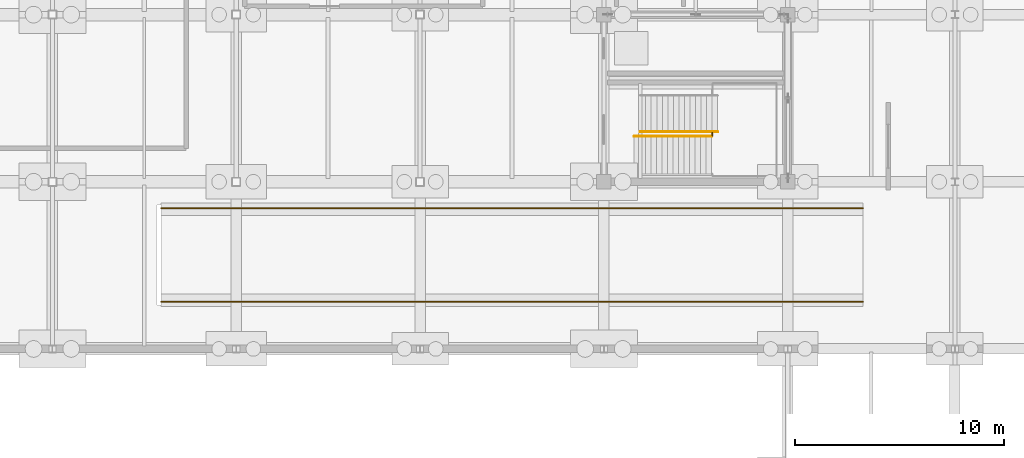
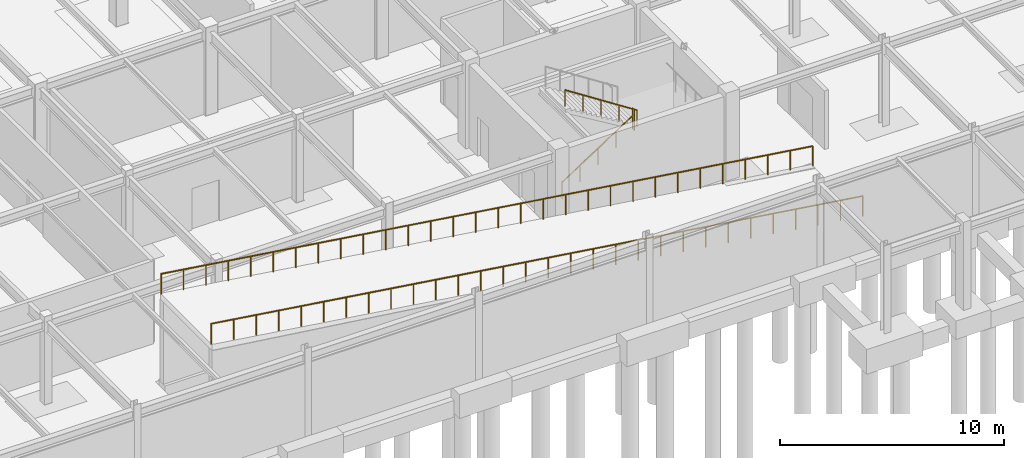
# One storey, part 66 of 72: 5 railings.
"""IFC4 building model written with IfcOpenShell, lengths in metres."""

from ifc_helpers import new_model, si_unit, direction, frame, origin, origin_2d, place, context, subcontext, project, spatial, circle, extrude, material, type_object, element, save


model = new_model("IFC4")

# Units and contexts
model_context = context("Model", 3, precision=1e-05, world=origin(), true_north=direction((0.0, 1.0)))
body_context = subcontext(model_context, "Body", "Model", "MODEL_VIEW")
ifc_project = project(units=[si_unit("LENGTHUNIT", "METRE"), si_unit("AREAUNIT", "SQUARE_METRE"), si_unit("VOLUMEUNIT", "CUBIC_METRE"), si_unit("PLANEANGLEUNIT", "RADIAN"), si_unit("MASSUNIT", "GRAM", prefix="KILO")], contexts=[model_context])

# Site, building, storey
site_placement = place(None, origin())
site = spatial("IfcSite", under=ifc_project, at=site_placement, CompositionType="ELEMENT")
building_placement = place(site_placement, origin())
building = spatial("IfcBuilding", under=site, at=building_placement, Name="Zhaolan Boulevard Law Courts", CompositionType="ELEMENT")
storey_placement = place(building_placement, frame((0.0, 0.0, -4.800048828125)))
storey = spatial("IfcBuildingStorey", under=building, at=storey_placement, Name="B1", CompositionType="ELEMENT", Elevation=-4.800048828125)

# Railings
ifc_material_1 = material(Name="Brushed stainless steel tubular handrail", Category="steel")
railing_type_1 = type_object("IfcRailingType", Name="STAIR HANDRAIL 900", PredefinedType="HANDRAIL", material=ifc_material_1)
railing_1_placement = place(storey_placement, frame((36.64990234375, 16.169921875, 0.0)))
element("IfcRailing", 1, at=railing_1_placement, inside=storey, type_object=railing_type_1, Name="Stair Handrail HR-ST04-B1-1", PredefinedType="HANDRAIL", context=body_context, shape_type="SweptSolid", body=[
    extrude(circle(Radius=0.0224609375, at=origin_2d()), frame((0.0, 0.0, 0.87744140625), z_axis=(0.839629444495, 0.0, 0.5431596413), x_axis=(0.0, 1.0, 0.0)), (0.0, 0.0, 1.0), 4.4189453125),
    extrude(circle(Radius=0.01904296875, at=origin_2d()), origin(), (0.0, 0.0, 1.0), 0.85498046875),
    extrude(circle(Radius=0.01904296875, at=origin_2d()), frame((0.927490234375, 0.0, 0.60009765625)), (0.0, 0.0, 1.0), 0.85498046875),
    extrude(circle(Radius=0.01904296875, at=origin_2d()), frame((1.85498046875, 0.0, 1.2001953125)), (0.0, 0.0, 1.0), 0.85498046875),
    extrude(circle(Radius=0.01904296875, at=origin_2d()), frame((2.78271484375, 0.0, 1.800048828125)), (0.0, 0.0, 1.0), 0.85498046875),
    extrude(circle(Radius=0.01904296875, at=origin_2d()), frame((3.710205078125, 0.0, 2.400146484375)), (0.0, 0.0, 1.0), 0.85498046875),
])
railing_2_placement = place(storey_placement, frame((40.64501953125, 16.389892578125, 2.400146484375)))
element("IfcRailing", 2, at=railing_2_placement, inside=storey, type_object=railing_type_1, Name="Stair Handrail HR-ST04-B1-2", PredefinedType="HANDRAIL", context=body_context, shape_type="SweptSolid", body=[
    extrude(circle(Radius=0.0224609375, at=origin_2d()), frame((0.0, 0.0, 0.87744140625), z_axis=(-0.839638341943, 0.0, 0.543145887161), x_axis=(0.0, -1.0, 0.0)), (0.0, 0.0, 1.0), 4.41845703125),
    extrude(circle(Radius=0.01904296875, at=origin_2d()), origin(), (0.0, 0.0, 1.0), 0.85498046875),
    extrude(circle(Radius=0.01904296875, at=origin_2d()), frame((-0.927490234375, 0.0, 0.60009765625)), (0.0, 0.0, 1.0), 0.85498046875),
    extrude(circle(Radius=0.01904296875, at=origin_2d()), frame((-1.85498046875, 0.0, 1.199951171875)), (0.0, 0.0, 1.0), 0.85498046875),
    extrude(circle(Radius=0.01904296875, at=origin_2d()), frame((-2.782470703125, 0.0, 1.7998046875)), (0.0, 0.0, 1.0), 0.85498046875),
    extrude(circle(Radius=0.01904296875, at=origin_2d()), frame((-3.7099609375, 0.0, 2.39990234375)), (0.0, 0.0, 1.0), 0.85498046875),
])
ifc_material_2 = material(Name="Powder-coated steel baluster guardrail", Category="steel")
railing_type_2 = type_object("IfcRailingType", Name="STAIR WELL GUARDRAIL 1120", PredefinedType="GUARDRAIL", material=ifc_material_2)
railing_3_placement = place(storey_placement, frame((40.389892578125, 16.2099609375, 2.400146484375)))
element("IfcRailing", 3, at=railing_3_placement, inside=storey, type_object=railing_type_2, Name="Half-Landing Well Guardrail SG-ST04-B1-W", PredefinedType="GUARDRAIL", context=body_context, shape_type="SweptSolid", body=[
    extrude(circle(Radius=0.02392578125, at=origin_2d()), frame((0.0, 0.0, 1.09619140625), z_axis=(0.0, 1.0, 0.0), x_axis=(-1.0, 0.0, 0.0)), (0.0, 0.0, 1.0), 0.14013671875),
    extrude(circle(Radius=0.02099609375, at=origin_2d()), origin(), (0.0, 0.0, 1.0), 1.072021484375),
    extrude(circle(Radius=0.02099609375, at=origin_2d()), frame((0.0, 0.14013671875, 0.0)), (0.0, 0.0, 1.0), 1.072021484375),
])
railing_4_placement = place(storey_placement, frame((14.0, 8.260009765625, 4.800048828125)))
element("IfcRailing", 4, at=railing_4_placement, inside=storey, type_object=railing_type_2, Name="Vehicle Ramp Side Guardrail GR-VR01-B1S", PredefinedType="GUARDRAIL", context=body_context, shape_type="SweptSolid", body=[
    extrude(circle(Radius=0.02392578125, at=origin_2d()), frame((0.0, 0.0, 1.09619140625), z_axis=(0.9899493498, 0.0, -0.141422363263), x_axis=(0.0, 1.0, 0.0)), (0.0, 0.0, 1.0), 33.941162109375),
    extrude(circle(Radius=0.02099609375, at=origin_2d()), origin(), (0.0, 0.0, 1.0), 1.072021484375),
    extrude(circle(Radius=0.02099609375, at=origin_2d()), frame((1.15869140625, 0.0, -0.16552734375)), (0.0, 0.0, 1.0), 1.072021484375),
    extrude(circle(Radius=0.02099609375, at=origin_2d()), frame((2.317138671875, 0.0, -0.3310546875)), (0.0, 0.0, 1.0), 1.072021484375),
    extrude(circle(Radius=0.02099609375, at=origin_2d()), frame((3.475830078125, 0.0, -0.49658203125)), (0.0, 0.0, 1.0), 1.072021484375),
    extrude(circle(Radius=0.02099609375, at=origin_2d()), frame((4.634521484375, 0.0, -0.662109375)), (0.0, 0.0, 1.0), 1.072021484375),
    extrude(circle(Radius=0.02099609375, at=origin_2d()), frame((5.793212890625, 0.0, -0.82763671875)), (0.0, 0.0, 1.0), 1.072021484375),
    extrude(circle(Radius=0.02099609375, at=origin_2d()), frame((6.95166015625, 0.0, -0.9931640625)), (0.0, 0.0, 1.0), 1.072021484375),
    extrude(circle(Radius=0.02099609375, at=origin_2d()), frame((8.1103515625, 0.0, -1.15869140625)), (0.0, 0.0, 1.0), 1.072021484375),
    extrude(circle(Radius=0.02099609375, at=origin_2d()), frame((9.26904296875, 0.0, -1.32421875)), (0.0, 0.0, 1.0), 1.072021484375),
    extrude(circle(Radius=0.02099609375, at=origin_2d()), frame((10.427734375, 0.0, -1.48974609375)), (0.0, 0.0, 1.0), 1.072021484375),
    extrude(circle(Radius=0.02099609375, at=origin_2d()), frame((11.586181640625, 0.0, -1.6552734375)), (0.0, 0.0, 1.0), 1.072021484375),
    extrude(circle(Radius=0.02099609375, at=origin_2d()), frame((12.744873046875, 0.0, -1.82080078125)), (0.0, 0.0, 1.0), 1.072021484375),
    extrude(circle(Radius=0.02099609375, at=origin_2d()), frame((13.903564453125, 0.0, -1.986328125)), (0.0, 0.0, 1.0), 1.072021484375),
    extrude(circle(Radius=0.02099609375, at=origin_2d()), frame((15.06201171875, 0.0, -2.15185546875)), (0.0, 0.0, 1.0), 1.072021484375),
    extrude(circle(Radius=0.02099609375, at=origin_2d()), frame((16.220703125, 0.0, -2.3173828125)), (0.0, 0.0, 1.0), 1.072021484375),
    extrude(circle(Radius=0.02099609375, at=origin_2d()), frame((17.37939453125, 0.0, -2.482666015625)), (0.0, 0.0, 1.0), 1.072021484375),
    extrude(circle(Radius=0.02099609375, at=origin_2d()), frame((18.5380859375, 0.0, -2.648193359375)), (0.0, 0.0, 1.0), 1.072021484375),
    extrude(circle(Radius=0.02099609375, at=origin_2d()), frame((19.696533203125, 0.0, -2.813720703125)), (0.0, 0.0, 1.0), 1.072021484375),
    extrude(circle(Radius=0.02099609375, at=origin_2d()), frame((20.855224609375, 0.0, -2.979248046875)), (0.0, 0.0, 1.0), 1.072021484375),
    extrude(circle(Radius=0.02099609375, at=origin_2d()), frame((22.013916015625, 0.0, -3.144775390625)), (0.0, 0.0, 1.0), 1.072021484375),
    extrude(circle(Radius=0.02099609375, at=origin_2d()), frame((23.17236328125, 0.0, -3.310302734375)), (0.0, 0.0, 1.0), 1.072021484375),
    extrude(circle(Radius=0.02099609375, at=origin_2d()), frame((24.3310546875, 0.0, -3.475830078125)), (0.0, 0.0, 1.0), 1.072021484375),
    extrude(circle(Radius=0.02099609375, at=origin_2d()), frame((25.48974609375, 0.0, -3.641357421875)), (0.0, 0.0, 1.0), 1.072021484375),
    extrude(circle(Radius=0.02099609375, at=origin_2d()), frame((26.6484375, 0.0, -3.806884765625)), (0.0, 0.0, 1.0), 1.072021484375),
    extrude(circle(Radius=0.02099609375, at=origin_2d()), frame((27.806884765625, 0.0, -3.972412109375)), (0.0, 0.0, 1.0), 1.072021484375),
    extrude(circle(Radius=0.02099609375, at=origin_2d()), frame((28.965576171875, 0.0, -4.137939453125)), (0.0, 0.0, 1.0), 1.072021484375),
    extrude(circle(Radius=0.02099609375, at=origin_2d()), frame((30.124267578125, 0.0, -4.303466796875)), (0.0, 0.0, 1.0), 1.072021484375),
    extrude(circle(Radius=0.02099609375, at=origin_2d()), frame((31.282958984375, 0.0, -4.468994140625)), (0.0, 0.0, 1.0), 1.072021484375),
    extrude(circle(Radius=0.02099609375, at=origin_2d()), frame((32.44140625, 0.0, -4.634521484375)), (0.0, 0.0, 1.0), 1.072021484375),
    extrude(circle(Radius=0.02099609375, at=origin_2d()), frame((33.60009765625, 0.0, -4.800048828125)), (0.0, 0.0, 1.0), 1.072021484375),
])
railing_5_placement = place(storey_placement, frame((14.0, 12.739990234375, 4.800048828125)))
element("IfcRailing", 5, at=railing_5_placement, inside=storey, type_object=railing_type_2, Name="Vehicle Ramp Side Guardrail GR-VR01-B1N", PredefinedType="GUARDRAIL", context=body_context, shape_type="SweptSolid", body=[
    extrude(circle(Radius=0.02392578125, at=origin_2d()), frame((0.0, 0.0, 1.09619140625), z_axis=(0.9899493498, 0.0, -0.141422363263), x_axis=(0.0, 1.0, 0.0)), (0.0, 0.0, 1.0), 33.941162109375),
    extrude(circle(Radius=0.02099609375, at=origin_2d()), origin(), (0.0, 0.0, 1.0), 1.072021484375),
    extrude(circle(Radius=0.02099609375, at=origin_2d()), frame((1.15869140625, 0.0, -0.16552734375)), (0.0, 0.0, 1.0), 1.072021484375),
    extrude(circle(Radius=0.02099609375, at=origin_2d()), frame((2.317138671875, 0.0, -0.3310546875)), (0.0, 0.0, 1.0), 1.072021484375),
    extrude(circle(Radius=0.02099609375, at=origin_2d()), frame((3.475830078125, 0.0, -0.49658203125)), (0.0, 0.0, 1.0), 1.072021484375),
    extrude(circle(Radius=0.02099609375, at=origin_2d()), frame((4.634521484375, 0.0, -0.662109375)), (0.0, 0.0, 1.0), 1.072021484375),
    extrude(circle(Radius=0.02099609375, at=origin_2d()), frame((5.793212890625, 0.0, -0.82763671875)), (0.0, 0.0, 1.0), 1.072021484375),
    extrude(circle(Radius=0.02099609375, at=origin_2d()), frame((6.95166015625, 0.0, -0.9931640625)), (0.0, 0.0, 1.0), 1.072021484375),
    extrude(circle(Radius=0.02099609375, at=origin_2d()), frame((8.1103515625, 0.0, -1.15869140625)), (0.0, 0.0, 1.0), 1.072021484375),
    extrude(circle(Radius=0.02099609375, at=origin_2d()), frame((9.26904296875, 0.0, -1.32421875)), (0.0, 0.0, 1.0), 1.072021484375),
    extrude(circle(Radius=0.02099609375, at=origin_2d()), frame((10.427734375, 0.0, -1.48974609375)), (0.0, 0.0, 1.0), 1.072021484375),
    extrude(circle(Radius=0.02099609375, at=origin_2d()), frame((11.586181640625, 0.0, -1.6552734375)), (0.0, 0.0, 1.0), 1.072021484375),
    extrude(circle(Radius=0.02099609375, at=origin_2d()), frame((12.744873046875, 0.0, -1.82080078125)), (0.0, 0.0, 1.0), 1.072021484375),
    extrude(circle(Radius=0.02099609375, at=origin_2d()), frame((13.903564453125, 0.0, -1.986328125)), (0.0, 0.0, 1.0), 1.072021484375),
    extrude(circle(Radius=0.02099609375, at=origin_2d()), frame((15.06201171875, 0.0, -2.15185546875)), (0.0, 0.0, 1.0), 1.072021484375),
    extrude(circle(Radius=0.02099609375, at=origin_2d()), frame((16.220703125, 0.0, -2.3173828125)), (0.0, 0.0, 1.0), 1.072021484375),
    extrude(circle(Radius=0.02099609375, at=origin_2d()), frame((17.37939453125, 0.0, -2.482666015625)), (0.0, 0.0, 1.0), 1.072021484375),
    extrude(circle(Radius=0.02099609375, at=origin_2d()), frame((18.5380859375, 0.0, -2.648193359375)), (0.0, 0.0, 1.0), 1.072021484375),
    extrude(circle(Radius=0.02099609375, at=origin_2d()), frame((19.696533203125, 0.0, -2.813720703125)), (0.0, 0.0, 1.0), 1.072021484375),
    extrude(circle(Radius=0.02099609375, at=origin_2d()), frame((20.855224609375, 0.0, -2.979248046875)), (0.0, 0.0, 1.0), 1.072021484375),
    extrude(circle(Radius=0.02099609375, at=origin_2d()), frame((22.013916015625, 0.0, -3.144775390625)), (0.0, 0.0, 1.0), 1.072021484375),
    extrude(circle(Radius=0.02099609375, at=origin_2d()), frame((23.17236328125, 0.0, -3.310302734375)), (0.0, 0.0, 1.0), 1.072021484375),
    extrude(circle(Radius=0.02099609375, at=origin_2d()), frame((24.3310546875, 0.0, -3.475830078125)), (0.0, 0.0, 1.0), 1.072021484375),
    extrude(circle(Radius=0.02099609375, at=origin_2d()), frame((25.48974609375, 0.0, -3.641357421875)), (0.0, 0.0, 1.0), 1.072021484375),
    extrude(circle(Radius=0.02099609375, at=origin_2d()), frame((26.6484375, 0.0, -3.806884765625)), (0.0, 0.0, 1.0), 1.072021484375),
    extrude(circle(Radius=0.02099609375, at=origin_2d()), frame((27.806884765625, 0.0, -3.972412109375)), (0.0, 0.0, 1.0), 1.072021484375),
    extrude(circle(Radius=0.02099609375, at=origin_2d()), frame((28.965576171875, 0.0, -4.137939453125)), (0.0, 0.0, 1.0), 1.072021484375),
    extrude(circle(Radius=0.02099609375, at=origin_2d()), frame((30.124267578125, 0.0, -4.303466796875)), (0.0, 0.0, 1.0), 1.072021484375),
    extrude(circle(Radius=0.02099609375, at=origin_2d()), frame((31.282958984375, 0.0, -4.468994140625)), (0.0, 0.0, 1.0), 1.072021484375),
    extrude(circle(Radius=0.02099609375, at=origin_2d()), frame((32.44140625, 0.0, -4.634521484375)), (0.0, 0.0, 1.0), 1.072021484375),
    extrude(circle(Radius=0.02099609375, at=origin_2d()), frame((33.60009765625, 0.0, -4.800048828125)), (0.0, 0.0, 1.0), 1.072021484375),
])

save(model, "model.ifc")
